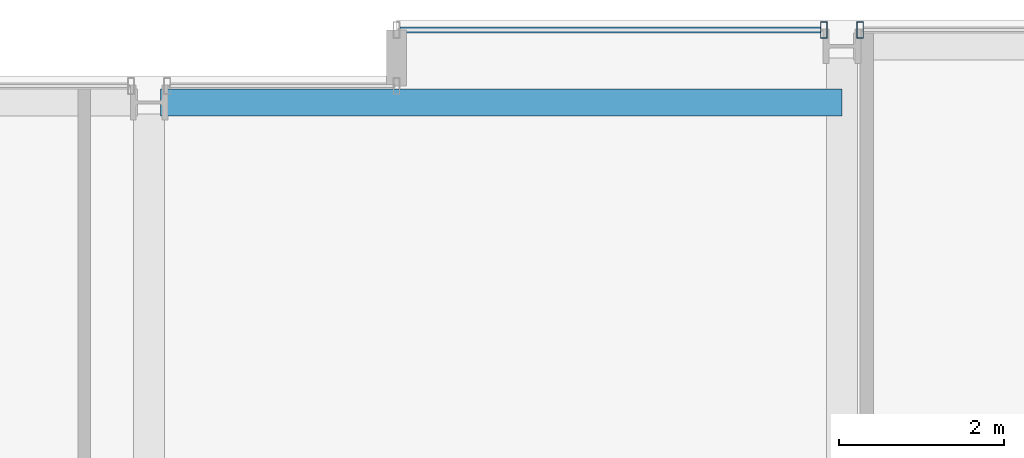
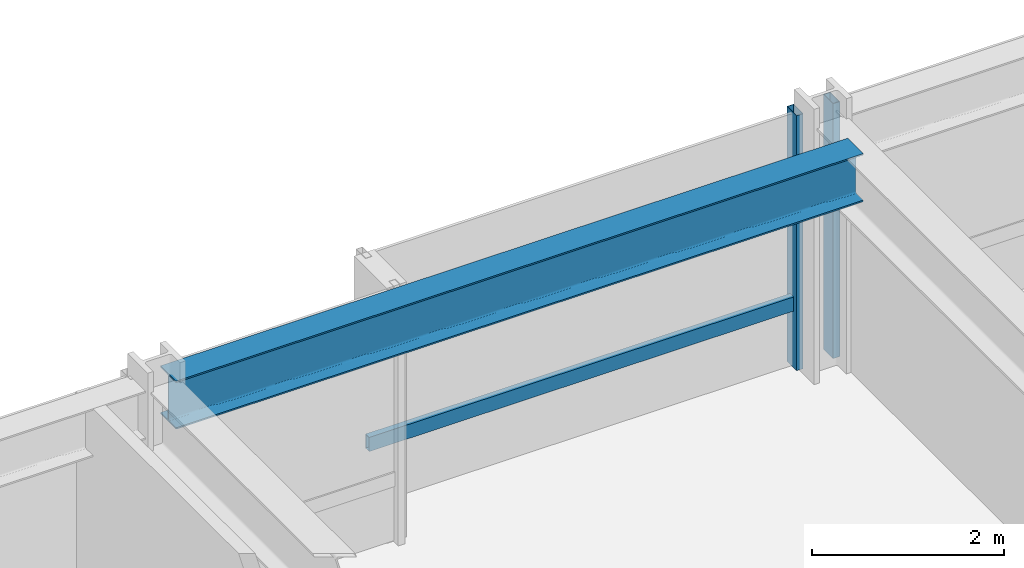
# One storey, part 25 of 33: 3 members, 1 beam, 2 elements without a shape of their own.
"""IFC4 building model written with IfcOpenShell, lengths in metres."""

from ifc_helpers import new_model, si_unit, direction, frame, origin, origin_2d, place, context, subcontext, project, spatial, hollow_rectangle, i_section, extrude, material, layer, layer_set, material_profile, profile_set, type_object, element, aggregate, save


model = new_model("IFC4")

# Units and contexts
model_context = context("Model", 3, precision=1e-05, world=origin(), true_north=direction((0.0, 1.0)))
body_context = subcontext(model_context, "Body", "Model", "MODEL_VIEW")
ifc_project = project(units=[si_unit("LENGTHUNIT", "METRE"), si_unit("AREAUNIT", "SQUARE_METRE"), si_unit("VOLUMEUNIT", "CUBIC_METRE"), si_unit("PLANEANGLEUNIT", "RADIAN"), si_unit("MASSUNIT", "GRAM", prefix="KILO")], contexts=[model_context])

# Site, building, storey
site_placement = place(None, origin())
site = spatial("IfcSite", under=ifc_project, at=site_placement, CompositionType="ELEMENT")
building_placement = place(site_placement, origin())
building = spatial("IfcBuilding", under=site, at=building_placement, Name="Drelvath Grand Hotel", CompositionType="ELEMENT")
storey_placement = place(building_placement, frame((0.0, 0.0, 105.800048828125)))
storey = spatial("IfcBuildingStorey", under=building, at=storey_placement, Name="L26", CompositionType="ELEMENT", Elevation=105.800048828125)

# Curtain wall, members
ifc_material_1 = material(Name="Champagne Bronze Anodised Aluminium Frame", Category="aluminium")
ifc_layer = layer(ifc_material_1, 0.199951171875)
ifc_layer_set = layer_set([ifc_layer], Name="Champagne Bronze Anodised Aluminium Frame")
curtain_wall_type = type_object("IfcCurtainWallType", Name="Stick Curtain Wall CW-03 Champagne Bronze Mid-Rise", PredefinedType="NOTDEFINED", material=ifc_layer_set)
curtain_wall_1_placement = place(storey_placement, origin())
curtain_wall_1 = element("IfcCurtainWall", 1, at=curtain_wall_1_placement, inside=storey, type_object=curtain_wall_type, Name="L26 CW-03 Curtain Wall CW03-L26-NE1", PredefinedType="NOTDEFINED")
ifc_material_profile_1 = material_profile(ifc_material_1, hollow_rectangle(XDim=0.074951171875, YDim=0.179931640625, WallThickness=0.0048828125, at=origin_2d()), Name="HSS180X75X5")
ifc_profile_set_1 = profile_set([ifc_material_profile_1], Name="Champagne Bronze Anodised Aluminium Frame")
member_type_1 = type_object("IfcMemberType", Name="Curtain Wall Horizontal Transom CW-03 HSS180X75X5", PredefinedType="USERDEFINED", material=ifc_profile_set_1)
member_1_placement = place(storey_placement, frame((3.0400390625, 53.8798828125, 0.81005859375), z_axis=(1.0, 0.0, 0.0), x_axis=(0.0, 1.0, 0.0)))
member_1 = element("IfcMember", 2, at=member_1_placement, type_object=member_type_1, Name="CW03-L26-NE1 Sill Transom", ObjectType="TRANSOM", PredefinedType="USERDEFINED", context=body_context, shape_type="SweptSolid", body=[
    extrude(hollow_rectangle(XDim=0.074951171875, YDim=0.179931640625, WallThickness=0.0048828125, at=origin_2d()), origin(), (0.0, 0.0, 1.0), 5.100341796875),
])
ifc_material_profile_2 = material_profile(ifc_material_1, hollow_rectangle(XDim=0.080078125, YDim=0.199951171875, WallThickness=0.0048828125, at=origin_2d()), Name="HSS200X80X5")
ifc_profile_set_2 = profile_set([ifc_material_profile_2], Name="Champagne Bronze Anodised Aluminium Frame")
member_type_2 = type_object("IfcMemberType", Name="Curtain Wall Vertical Mullion CW-03 HSS200X80X5", PredefinedType="MULLION", material=ifc_profile_set_2)
member_2_placement = place(storey_placement, frame((8.180419921875, 53.8798828125, 0.0), z_axis=(0.0, 0.0, 1.0), x_axis=(1.0, 0.0, 0.0)))
member_2 = element("IfcMember", 3, at=member_2_placement, type_object=member_type_2, Name="CW03-L26-NE1 Mullion 2", PredefinedType="MULLION", context=body_context, shape_type="SweptSolid", body=[
    extrude(hollow_rectangle(XDim=0.080078125, YDim=0.199951171875, WallThickness=0.0048828125, at=origin_2d()), origin(), (0.0, 0.0, 1.0), 3.239990234375),
])
aggregate(curtain_wall_1, [member_2, member_1])

# Curtain wall, member
curtain_wall_2_placement = place(storey_placement, origin())
curtain_wall_2 = element("IfcCurtainWall", 4, at=curtain_wall_2_placement, inside=storey, type_object=curtain_wall_type, Name="L26 CW-03 Curtain Wall CW03-L26-NE2", PredefinedType="NOTDEFINED")
member_3_placement = place(storey_placement, frame((8.61962890625, 53.8798828125, 0.0), z_axis=(0.0, 0.0, 1.0), x_axis=(1.0, 0.0, 0.0)))
member_3 = element("IfcMember", 5, at=member_3_placement, type_object=member_type_2, Name="CW03-L26-NE2 Mullion 1", PredefinedType="MULLION", context=body_context, shape_type="SweptSolid", body=[
    extrude(hollow_rectangle(XDim=0.080078125, YDim=0.199951171875, WallThickness=0.0048828125, at=origin_2d()), origin(), (0.0, 0.0, 1.0), 3.239990234375),
])
aggregate(curtain_wall_2, [member_3])

# Beam
ifc_material_2 = material(Name="Steel ASTM A992 Gr 50", Category="steel")
ifc_material_profile_3 = material_profile(ifc_material_2, i_section(OverallWidth=0.323974609375, OverallDepth=0.611083984375, WebThickness=0.0126953125, FlangeThickness=0.01904296875, FilletRadius=0.02197265625, at=origin_2d()), Name="W24X104")
ifc_profile_set_3 = profile_set([ifc_material_profile_3], Name="Steel ASTM A992 Gr 50")
beam_type = type_object("IfcBeamType", Name="Perimeter Spandrel Beam W24X104", PredefinedType="SPANDREL", material=ifc_profile_set_3)
beam_placement = place(storey_placement, frame((0.139892578125, 53.0, 2.9345703125), z_axis=(1.0, 0.0, 0.0), x_axis=(0.0, 1.0, 0.0)))
element("IfcBeam", 6, at=beam_placement, inside=storey, type_object=beam_type, Name="L26 Spandrel North Mid E", PredefinedType="SPANDREL", context=body_context, shape_type="SweptSolid", body=[
    extrude(i_section(OverallWidth=0.323974609375, OverallDepth=0.611083984375, WebThickness=0.0126953125, FlangeThickness=0.01904296875, FilletRadius=0.02197265625, at=origin_2d()), origin(), (0.0, 0.0, 1.0), 8.260009765625),
])

save(model, "model.ifc")
